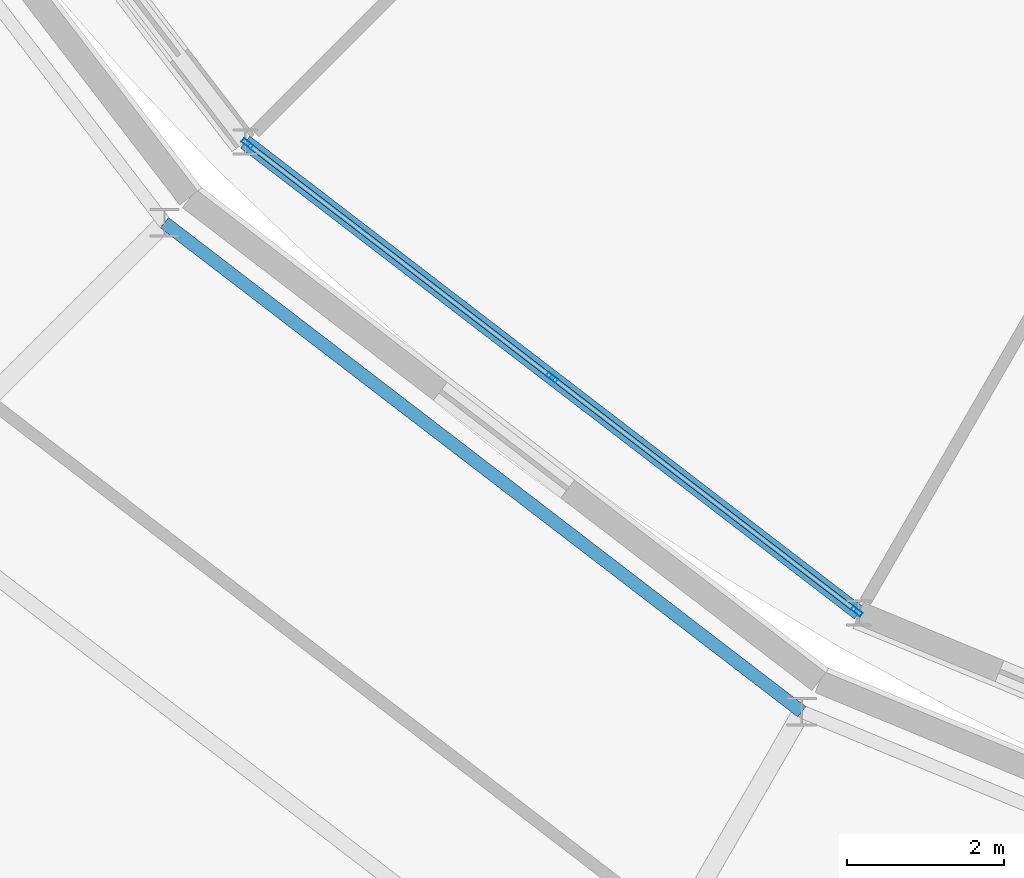
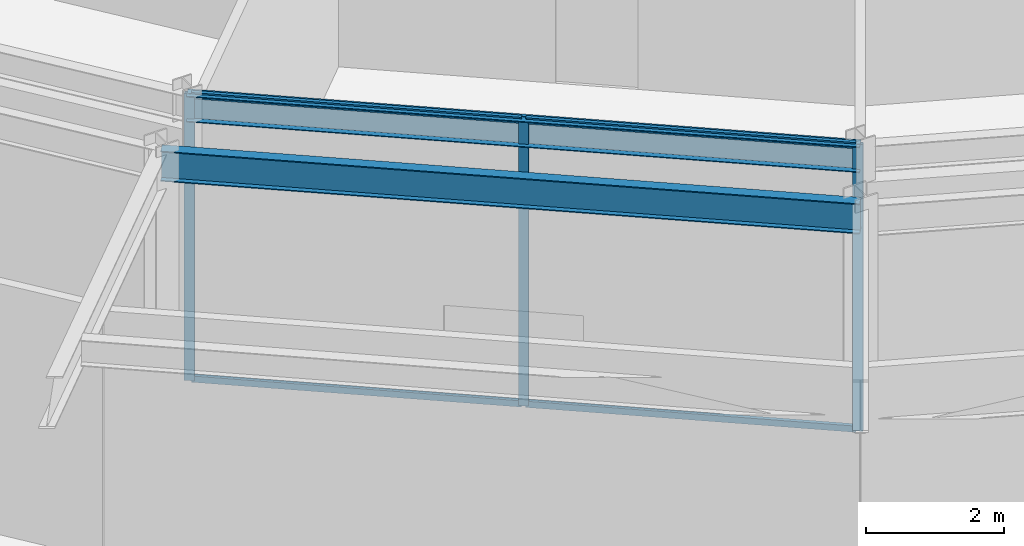
# One storey, part 30 of 168: 7 members, 2 beams, 1 element without a shape of its own.
"""IFC4 building model written with IfcOpenShell, lengths in metres."""

from ifc_helpers import new_model, si_unit, direction, frame, origin, origin_2d, place, context, subcontext, project, spatial, hollow_rectangle, i_section, extrude, material, material_profile, profile_set, type_object, element, aggregate, save


model = new_model("IFC4")

# Units and contexts
model_context = context("Model", 3, precision=1e-05, world=origin(), true_north=direction((0.0, 1.0)))
body_context = subcontext(model_context, "Body", "Model", "MODEL_VIEW")
ifc_project = project(units=[si_unit("LENGTHUNIT", "METRE"), si_unit("AREAUNIT", "SQUARE_METRE"), si_unit("VOLUMEUNIT", "CUBIC_METRE"), si_unit("PLANEANGLEUNIT", "RADIAN"), si_unit("MASSUNIT", "GRAM", prefix="KILO")], contexts=[model_context])

# Site, building, storey
site_placement = place(None, origin())
site = spatial("IfcSite", under=ifc_project, at=site_placement, CompositionType="ELEMENT")
building_placement = place(site_placement, origin())
building = spatial("IfcBuilding", under=site, at=building_placement, Name="Almandine Court Research Institute", CompositionType="ELEMENT")
storey_placement = place(building_placement, origin())
storey = spatial("IfcBuildingStorey", under=building, at=storey_placement, Name="L00", CompositionType="ELEMENT", Elevation=0.0)

# Beams
ifc_material_1 = material(Name="Steel ASTM A992 Grade 50", Category="steel")
ifc_material_profile_1 = material_profile(ifc_material_1, i_section(OverallWidth=0.18994140625, OverallDepth=0.45703125, WebThickness=0.009033203125, FlangeThickness=0.014892578125, at=origin_2d()), Name="W460x74")
ifc_profile_set_1 = profile_set([ifc_material_profile_1], Name="Steel ASTM A992 Grade 50")
beam_type_1 = type_object("IfcBeamType", Name="Beam-B-01", PredefinedType="BEAM", material=ifc_profile_set_1)
beam_1_placement = place(storey_placement, frame((60.376953125, 29.376953125, 4.841064453125), z_axis=(0.793391623282, -0.608711534396, 0.0), x_axis=(0.608711534396, 0.793391623282, 0.0)))
element("IfcBeam", 1, at=beam_1_placement, inside=storey, type_object=beam_type_1, Name="L00 Atrium Outer Ring Beam", PredefinedType="BEAM", context=body_context, shape_type="SweptSolid", body=[
    extrude(i_section(OverallWidth=0.18994140625, OverallDepth=0.45703125, WebThickness=0.009033203125, FlangeThickness=0.014892578125, at=origin_2d()), origin(), (0.0, 0.0, 1.0), 9.828857421875),
])
ifc_material_profile_2 = material_profile(ifc_material_1, i_section(OverallWidth=0.166015625, OverallDepth=0.534912109375, WebThickness=0.010009765625, FlangeThickness=0.01708984375, at=origin_2d()), Name="W530x85")
ifc_profile_set_2 = profile_set([ifc_material_profile_2], Name="Steel ASTM A992 Grade 50")
beam_type_2 = type_object("IfcBeamType", Name="Beam-G-05-E", PredefinedType="SPANDREL", material=ifc_profile_set_2)
beam_2_placement = place(storey_placement, frame((59.35205078125, 28.35205078125, 4.802978515625), z_axis=(0.793335653042, -0.608784478787, 0.0), x_axis=(0.608784478787, 0.793335653042, 0.0)))
element("IfcBeam", 2, at=beam_2_placement, inside=storey, type_object=beam_type_2, Name="L00 Drum IN Ring Beam 15", PredefinedType="SPANDREL", context=body_context, shape_type="SweptSolid", body=[
    extrude(i_section(OverallWidth=0.166015625, OverallDepth=0.534912109375, WebThickness=0.010009765625, FlangeThickness=0.01708984375, at=origin_2d()), origin(), (0.0, 0.0, 1.0), 10.20751953125),
])

# Curtain wall, members
ifc_material_2 = material(Name="Unitised Curtain Wall Framing and Solar Glazing", Category="glass")
curtain_wall_type = type_object("IfcCurtainWallType", Name="CW-CWG-23", PredefinedType="USERDEFINED", material=ifc_material_2)
curtain_wall_placement = place(storey_placement, origin())
curtain_wall = element("IfcCurtainWall", 3, at=curtain_wall_placement, inside=storey, type_object=curtain_wall_type, Name="L00 Interaction Atrium Perimeter Curtain Wall 15", ObjectType="UNITISED GLAZING", PredefinedType="USERDEFINED")
ifc_material_3 = material(Name="Anodised Aluminium AW-6063-T6", Category="aluminium")
ifc_material_profile_3 = material_profile(ifc_material_3, hollow_rectangle(XDim=0.06005859375, YDim=0.14990234375, WallThickness=0.00390625, at=origin_2d()), Name="ALU RHS 60x150x4")
ifc_profile_set_3 = profile_set([ifc_material_profile_3], Name="Anodised Aluminium AW-6063-T6")
member_type_1 = type_object("IfcMemberType", Name="CWMul-60x150", PredefinedType="MULLION", material=ifc_profile_set_3)
member_1_placement = place(storey_placement, frame((68.148193359375, 23.414306640625, 0.0), z_axis=(0.0, 0.0, 1.0), x_axis=(-0.608760667029, -0.793353924979, 0.0)))
member_1 = element("IfcMember", 4, at=member_1_placement, type_object=member_type_1, Name="CWG-23 mullion 1", PredefinedType="MULLION", context=body_context, shape_type="SweptSolid", body=[
    extrude(hollow_rectangle(XDim=0.06005859375, YDim=0.14990234375, WallThickness=0.00390625, at=origin_2d()), origin(), (0.0, 0.0, 1.0), 5.070068359375),
])
member_2_placement = place(storey_placement, frame((64.27587890625, 26.385498046875, 0.0), z_axis=(0.0, 0.0, 1.0), x_axis=(-0.608760667029, -0.793353924979, 0.0)))
member_2 = element("IfcMember", 5, at=member_2_placement, type_object=member_type_1, Name="CWG-23 mullion 2", PredefinedType="MULLION", context=body_context, shape_type="SweptSolid", body=[
    extrude(hollow_rectangle(XDim=0.06005859375, YDim=0.14990234375, WallThickness=0.00390625, at=origin_2d()), origin(), (0.0, 0.0, 1.0), 5.070068359375),
])
member_3_placement = place(storey_placement, frame((60.40380859375, 29.356689453125, 0.0), z_axis=(0.0, 0.0, 1.0), x_axis=(-0.608760667029, -0.793353924979, 0.0)))
member_3 = element("IfcMember", 6, at=member_3_placement, type_object=member_type_1, Name="CWG-23 mullion 3", PredefinedType="MULLION", context=body_context, shape_type="SweptSolid", body=[
    extrude(hollow_rectangle(XDim=0.06005859375, YDim=0.14990234375, WallThickness=0.00390625, at=origin_2d()), origin(), (0.0, 0.0, 1.0), 5.070068359375),
])
ifc_material_profile_4 = material_profile(ifc_material_3, hollow_rectangle(XDim=0.06005859375, YDim=0.110107421875, WallThickness=0.00390625, at=origin_2d()), Name="ALU RHS 60x110x4")
ifc_profile_set_4 = profile_set([ifc_material_profile_4], Name="Anodised Aluminium AW-6063-T6")
member_type_2 = type_object("IfcMemberType", Name="CWTrn-60x110", PredefinedType="NOTDEFINED", material=ifc_profile_set_4)
member_4_placement = place(storey_placement, frame((68.12451171875, 23.4326171875, 0.030029296875), z_axis=(-0.793376443338, 0.608731319349, 0.0), x_axis=(-0.608731319349, -0.793376443338, 0.0)))
member_4 = element("IfcMember", 7, at=member_4_placement, type_object=member_type_2, Name="CWG-23 transom 1.1", ObjectType="TRANSOM", PredefinedType="USERDEFINED", context=body_context, shape_type="SweptSolid", body=[
    extrude(hollow_rectangle(XDim=0.06005859375, YDim=0.110107421875, WallThickness=0.00390625, at=origin_2d()), origin(), (0.0, 0.0, 1.0), 4.82080078125),
])
member_5_placement = place(storey_placement, frame((68.12451171875, 23.4326171875, 5.0400390625), z_axis=(-0.793376443338, 0.608731319349, 0.0), x_axis=(-0.608731319349, -0.793376443338, 0.0)))
member_5 = element("IfcMember", 8, at=member_5_placement, type_object=member_type_2, Name="CWG-23 transom 1.2", ObjectType="TRANSOM", PredefinedType="USERDEFINED", context=body_context, shape_type="SweptSolid", body=[
    extrude(hollow_rectangle(XDim=0.06005859375, YDim=0.110107421875, WallThickness=0.00390625, at=origin_2d()), origin(), (0.0, 0.0, 1.0), 4.82080078125),
])
member_6_placement = place(storey_placement, frame((64.252197265625, 26.40380859375, 0.030029296875), z_axis=(-0.793376443338, 0.608731319349, 0.0), x_axis=(-0.608731319349, -0.793376443338, 0.0)))
member_6 = element("IfcMember", 9, at=member_6_placement, type_object=member_type_2, Name="CWG-23 transom 2.1", ObjectType="TRANSOM", PredefinedType="USERDEFINED", context=body_context, shape_type="SweptSolid", body=[
    extrude(hollow_rectangle(XDim=0.06005859375, YDim=0.110107421875, WallThickness=0.00390625, at=origin_2d()), origin(), (0.0, 0.0, 1.0), 4.82080078125),
])
member_7_placement = place(storey_placement, frame((64.252197265625, 26.40380859375, 5.0400390625), z_axis=(-0.793376443338, 0.608731319349, 0.0), x_axis=(-0.608731319349, -0.793376443338, 0.0)))
member_7 = element("IfcMember", 10, at=member_7_placement, type_object=member_type_2, Name="CWG-23 transom 2.2", ObjectType="TRANSOM", PredefinedType="USERDEFINED", context=body_context, shape_type="SweptSolid", body=[
    extrude(hollow_rectangle(XDim=0.06005859375, YDim=0.110107421875, WallThickness=0.00390625, at=origin_2d()), origin(), (0.0, 0.0, 1.0), 4.82080078125),
])
aggregate(curtain_wall, [member_1, member_2, member_3, member_4, member_5, member_6, member_7])

save(model, "model.ifc")
